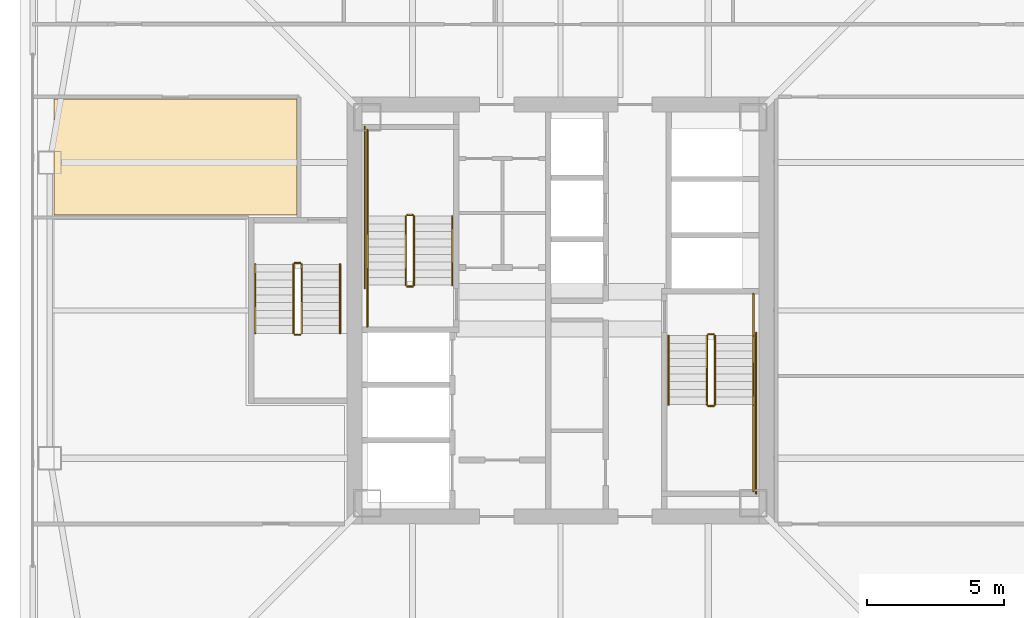
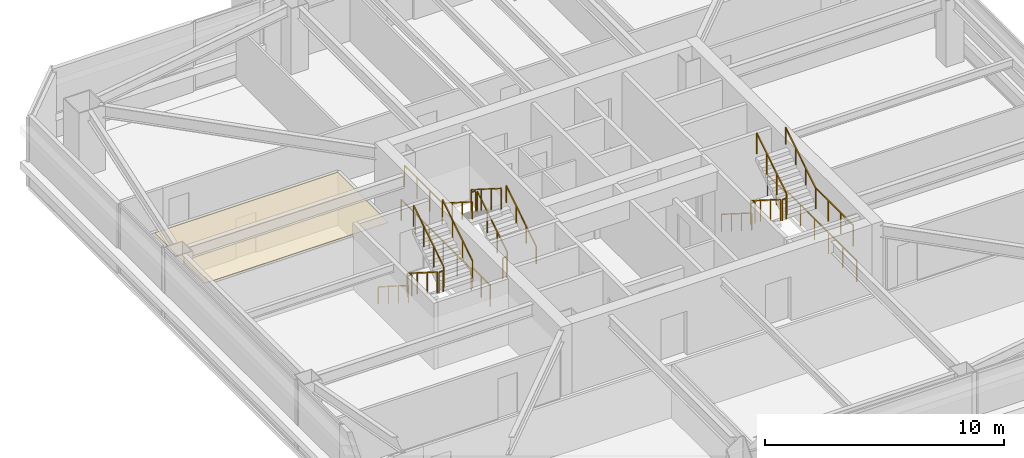
# One storey, part 36 of 41: 24 railings, 1 covering.
"""IFC4 building model written with IfcOpenShell, lengths in metres."""

import ifcopenshell
import ifcopenshell.guid

model = None  # the IFC model being written
_history = None  # IfcOwnerHistory: only IFC2X3 demands one
_inside = {}  # id of a spatial element -> (the spatial element, [elements in it])
_under = {}  # id of a project, library or spatial element -> (it, [spatial elements below it])
_declared = {}  # id of a project -> (the project, [libraries it declares])
_typed = {}  # id of a type object -> (the type object, [elements of that type])
_made_of = {}  # id of a material, layer set ... -> (it, [elements and type objects made of it])


def new_model(schema):
    """Start an empty IFC model of exactly this schema.

    Asked for "IFC4X3", IfcOpenShell would pick the latest addendum, in which some entities
    have other attributes; the version numbers below select the first issue.
    IFC2X3 requires an IfcOwnerHistory on every rooted entity: one is made here for all.
    """
    global model, _history
    if schema == "IFC4X3":
        model = ifcopenshell.file(schema_version=(4, 3, 0, 0))
    else:
        model = ifcopenshell.file(schema=schema)
    _inside.clear()
    _under.clear()
    _declared.clear()
    _typed.clear()
    _made_of.clear()
    _history = None
    if model.schema == "IFC2X3":
        org = make("IfcOrganization", Name="unknown")
        user = make(
            "IfcPersonAndOrganization",
            ThePerson=make("IfcPerson", FamilyName="unknown"),
            TheOrganization=org,
        )
        app = make(
            "IfcApplication",
            ApplicationDeveloper=org,
            Version="unknown",
            ApplicationFullName="unknown",
            ApplicationIdentifier="unknown",
        )
        _history = make(
            "IfcOwnerHistory",
            OwningUser=user,
            OwningApplication=app,
            ChangeAction="ADDED",
            CreationDate=0,
        )
    return model


def make(cls, **values):
    """One entity of the class cls with the attributes given. An attribute that is None is left unset."""
    return model.create_entity(
        cls, **{name: value for name, value in values.items() if value is not None}
    )


def rooted(cls, **values):
    """An entity with a GlobalId (a new one), such as an element, a storey or a relation."""
    return make(cls, GlobalId=ifcopenshell.guid.new(), OwnerHistory=_history, **values)


def si_unit(unit_type, name, prefix=None):
    """IfcSIUnit, for example si_unit("LENGTHUNIT", "METRE", prefix="MILLI")."""
    return make("IfcSIUnit", UnitType=unit_type, Prefix=prefix, Name=name)


def assignment(units):
    """IfcUnitAssignment: the units of a project."""
    return None if units is None else make("IfcUnitAssignment", Units=units)


def point(xyz):
    """IfcCartesianPoint."""
    return None if xyz is None else make("IfcCartesianPoint", Coordinates=xyz)


def direction(xyz):
    """IfcDirection."""
    return None if xyz is None else make("IfcDirection", DirectionRatios=xyz)


def frame(location, z_axis=None, x_axis=None):
    """IfcAxis2Placement3D, a coordinate frame: its origin and axes. An axis left out is left unset."""
    return make(
        "IfcAxis2Placement3D",
        Location=point(location),
        Axis=direction(z_axis),
        RefDirection=direction(x_axis),
    )


def frame_2d(location, x_axis=None):
    """IfcAxis2Placement2D, a coordinate frame in the plane: its origin and x axis."""
    return make(
        "IfcAxis2Placement2D", Location=point(location), RefDirection=direction(x_axis)
    )


def origin():
    """The frame at (0, 0, 0) with its axes left unset."""
    return frame((0.0, 0.0, 0.0))


def origin_2d():
    """The frame at (0, 0) in the plane with its x axis left unset."""
    return frame_2d((0.0, 0.0))


def place(relative_to, where):
    """IfcLocalPlacement: puts the frame where relative to a parent placement (None: the world)."""
    return make(
        "IfcLocalPlacement", PlacementRelTo=relative_to, RelativePlacement=where
    )


def context(
    kind, dimensions, precision=None, world=None, true_north=None, identifier=None
):
    """IfcGeometricRepresentationContext, for example the 3D "Model" context."""
    return make(
        "IfcGeometricRepresentationContext",
        ContextIdentifier=identifier,
        ContextType=kind,
        CoordinateSpaceDimension=dimensions,
        Precision=precision,
        WorldCoordinateSystem=world,
        TrueNorth=true_north,
    )


def subcontext(parent, identifier, kind, view, scale=None):
    """IfcGeometricRepresentationSubContext, for example "Body" below "Model"."""
    return make(
        "IfcGeometricRepresentationSubContext",
        ContextIdentifier=identifier,
        ContextType=kind,
        ParentContext=parent,
        TargetScale=scale,
        TargetView=view,
    )


def project(units=None, contexts=None):
    """IfcProject with its units and contexts."""
    return rooted(
        "IfcProject",
        Name="project",
        RepresentationContexts=contexts,
        UnitsInContext=assignment(units),
    )


def spatial(cls, under=None, at=None, **own):
    """A site, building, storey or space (cls), placed at a placement, below another one or the project."""
    s = rooted(cls, ObjectPlacement=at, **own)
    if under is not None:
        _under.setdefault(under.id(), (under, []))[1].append(s)
    return s


def polyline(points):
    """IfcPolyline through the points."""
    return make("IfcPolyline", Points=[point(p) for p in points])


def profile(cls, at=None, kind="AREA", **sizes):
    """A parametric profile (cls). Its sizes go by their IFC names, for example OverallWidth=200.0."""
    return make(cls, ProfileType=kind, Position=at, **sizes)


def rectangle(**sizes):
    """IfcRectangleProfileDef."""
    return profile("IfcRectangleProfileDef", **sizes)


def outline(outer, holes=None, kind="AREA"):
    """IfcArbitraryClosedProfileDef: a profile drawn as a closed curve; with holes, ...WithVoids."""
    if holes is None:
        return make("IfcArbitraryClosedProfileDef", ProfileType=kind, OuterCurve=outer)
    return make(
        "IfcArbitraryProfileDefWithVoids",
        ProfileType=kind,
        OuterCurve=outer,
        InnerCurves=holes,
    )


def extrude(swept, where, along, depth):
    """IfcExtrudedAreaSolid: the profile swept, set in the frame where, extruded along a direction by depth."""
    return make(
        "IfcExtrudedAreaSolid",
        SweptArea=swept,
        Position=where,
        ExtrudedDirection=direction(along),
        Depth=depth,
    )


def shape(context_of_items, identifier, shape_type, items):
    """IfcShapeRepresentation: the items that make up one representation, for example the "Body"."""
    return make(
        "IfcShapeRepresentation",
        ContextOfItems=context_of_items,
        RepresentationIdentifier=identifier,
        RepresentationType=shape_type,
        Items=items,
    )


def material(Name=None, Category=None):
    """IfcMaterial."""
    return make("IfcMaterial", Name=Name, Category=Category)


def layer(
    of_material, thickness, ventilated=None, Name=None, Category=None, Priority=None
):
    """IfcMaterialLayer: one layer of a wall or slab, of a material (None: an air gap)."""
    return make(
        "IfcMaterialLayer",
        Material=of_material,
        LayerThickness=thickness,
        IsVentilated=ventilated,
        Name=Name,
        Category=Category,
        Priority=Priority,
    )


def layer_set(layers, Name=None):
    """IfcMaterialLayerSet."""
    return make("IfcMaterialLayerSet", MaterialLayers=layers, LayerSetName=Name)


def made_of(thing, what):
    """Note that an element or type object is made of a material, layer set ...; save() writes the relation."""
    if what is not None:
        _made_of.setdefault(what.id(), (what, []))[1].append(thing)
    return thing


def type_object(cls, material=None, **own):
    """A type object (cls), such as IfcWallType, which elements share."""
    return made_of(rooted(cls, **own), material)


def element(
    cls,
    number,
    at=None,
    inside=None,
    cuts=None,
    type_object=None,
    material=None,
    context=None,
    identifier="Body",
    shape_type=None,
    held_by="IfcProductDefinitionShape",
    body=None,
    shapes=None,
    **own,
):
    """One element of the class cls, such as IfcWall. Its Tag is "e" and its number.

    at: its placement. inside: the storey or other place that contains it. cuts: it is an
    opening in that element (IfcRelVoidsElement). A single representation is given by context,
    identifier, shape_type and body (its items); several are given by shapes. held_by: the class
    of the entity that holds the representations. save() writes the other relations.
    """
    e = rooted(cls, Tag="e%d" % number, ObjectPlacement=at, **own)
    if body is not None:
        shapes = [shape(context, identifier, shape_type, body)]
    if shapes is not None:
        e.Representation = make(held_by, Representations=shapes)
    if inside is not None:
        _inside.setdefault(inside.id(), (inside, []))[1].append(e)
    if cuts is not None:
        rooted(
            "IfcRelVoidsElement", RelatingBuildingElement=cuts, RelatedOpeningElement=e
        )
    if type_object is not None:
        _typed.setdefault(type_object.id(), (type_object, []))[1].append(e)
    return made_of(e, material)


def aggregate(whole, parts):
    """IfcRelAggregates: a whole, such as a stair, and the parts it consists of."""
    return rooted("IfcRelAggregates", RelatingObject=whole, RelatedObjects=parts)


def save(model, path):
    """Write the relations noted so far, then the file.

    IfcRelAggregates (storeys below a building ...), IfcRelContainedInSpatialStructure (elements
    in a storey), IfcRelDefinesByType, IfcRelAssociatesMaterial and IfcRelDeclares: one each for
    every whole, place, type object, material and project.
    """
    for whole, parts in _under.values():
        aggregate(whole, parts)
    for where, things in _inside.values():
        rooted(
            "IfcRelContainedInSpatialStructure",
            RelatedElements=things,
            RelatingStructure=where,
        )
    for kind, things in _typed.values():
        rooted("IfcRelDefinesByType", RelatedObjects=things, RelatingType=kind)
    for what, things in _made_of.values():
        rooted("IfcRelAssociatesMaterial", RelatedObjects=things, RelatingMaterial=what)
    for by, libraries in _declared.values():
        rooted("IfcRelDeclares", RelatingContext=by, RelatedDefinitions=libraries)
    model.write(path)


model = new_model("IFC4")

# Units and contexts
model_context = context("Model", 3, precision=1e-05, world=origin(), true_north=direction((0.0, 1.0)))
body_context = subcontext(model_context, "Body", "Model", "MODEL_VIEW")
ifc_project = project(units=[si_unit("LENGTHUNIT", "METRE"), si_unit("AREAUNIT", "SQUARE_METRE"), si_unit("VOLUMEUNIT", "CUBIC_METRE"), si_unit("PLANEANGLEUNIT", "RADIAN"), si_unit("MASSUNIT", "GRAM", prefix="KILO")], contexts=[model_context])

# Site, building, storey
site_placement = place(None, origin())
site = spatial("IfcSite", under=ifc_project, at=site_placement, CompositionType="ELEMENT")
building_placement = place(site_placement, origin())
building = spatial("IfcBuilding", under=site, at=building_placement, Name="Tashvorn Skyway Center", CompositionType="ELEMENT")
storey_placement = place(building_placement, frame((0.0, 0.0, 146.35009765625)))
storey = spatial("IfcBuildingStorey", under=building, at=storey_placement, Name="L39", CompositionType="ELEMENT", Elevation=146.35009765625)

# Covering
ifc_material_1 = material(Name="Mineral-fibre acoustic ceiling tile on suspended grid")
ifc_layer = layer(ifc_material_1, 0.02001953125)
ifc_layer_set = layer_set([ifc_layer], Name="Mineral-fibre acoustic ceiling tile on suspended grid")
covering_type = type_object("IfcCoveringType", Name="COV-CEIL-20", PredefinedType="CEILING", material=ifc_layer_set)
covering_placement = place(storey_placement, frame((0.0, 0.0, 2.702880859375)))
element("IfcCovering", 1, at=covering_placement, inside=storey, type_object=covering_type, Name="Tower 1 L39 Collaborative Studio Acoustic Ceiling", PredefinedType="CEILING", context=body_context, shape_type="SweptSolid", body=[
    extrude(outline(polyline([(32.3701171875, 39.719970703125), (32.3701171875, 35.47998046875), (23.5, 35.47998046875), (23.5, 39.719970703125), (32.3701171875, 39.719970703125)])), origin(), (0.0, 0.0, 1.0), 0.02001953125),
])

# Railings
ifc_material_2 = material(Name="Brushed stainless steel 316", Category="steel")
railing_type_1 = type_object("IfcRailingType", Name="RAIL-HAND-920", PredefinedType="HANDRAIL", material=ifc_material_2)
railing_1_placement = place(storey_placement, frame((38.050048828125, 32.919921875, 0.177490234375)))
element("IfcRailing", 2, at=railing_1_placement, inside=storey, type_object=railing_type_1, Name="L39 ST-T1-1 stair handrail 1", PredefinedType="HANDRAIL", context=body_context, shape_type="SweptSolid", body=[
    extrude(rectangle(XDim=0.048095703125, YDim=0.048095703125, at=origin_2d()), frame((0.0, 0.0, 0.8759765625), z_axis=(0.0, 0.84460694969, 0.535386869969), x_axis=(-1.0, 0.0, 0.0)), (0.0, 0.0, 1.0), 2.983642578125),
    extrude(rectangle(XDim=0.0419921875, YDim=0.0419921875, at=origin_2d()), origin(), (0.0, 0.0, 1.0), 0.851806640625),
    extrude(rectangle(XDim=0.0419921875, YDim=0.0419921875, at=origin_2d()), frame((0.0, 0.840087890625, 0.532470703125)), (0.0, 0.0, 1.0), 0.851806640625),
    extrude(rectangle(XDim=0.0419921875, YDim=0.0419921875, at=origin_2d()), frame((0.0, 1.679931640625, 1.06494140625)), (0.0, 0.0, 1.0), 0.851806640625),
    extrude(rectangle(XDim=0.0419921875, YDim=0.0419921875, at=origin_2d()), frame((0.0, 2.52001953125, 1.597412109375)), (0.0, 0.0, 1.0), 0.851806640625),
])
for number, where, name in (
    (3, (34.949951171875, 35.43994140625, 1.952392578125), "L39 ST-T1-1 stair handrail 2"),
    (4, (45.949951171875, 31.080078125, 0.177490234375), "L39 ST-T1-2 stair handrail 1"),
):
    element("IfcRailing", number, at=place(storey_placement, frame(where)), inside=storey, type_object=railing_type_1, Name=name, PredefinedType="HANDRAIL", context=body_context, shape_type="SweptSolid", body=[
        extrude(rectangle(XDim=0.048095703125, YDim=0.048095703125, at=origin_2d()), frame((0.0, 0.0, 0.8759765625), z_axis=(0.0, -0.84460694969, 0.535386869969), x_axis=(1.0, 0.0, 0.0)), (0.0, 0.0, 1.0), 2.983642578125),
        extrude(rectangle(XDim=0.0419921875, YDim=0.0419921875, at=origin_2d()), origin(), (0.0, 0.0, 1.0), 0.851806640625),
        extrude(rectangle(XDim=0.0419921875, YDim=0.0419921875, at=origin_2d()), frame((0.0, -0.840087890625, 0.532470703125)), (0.0, 0.0, 1.0), 0.851806640625),
        extrude(rectangle(XDim=0.0419921875, YDim=0.0419921875, at=origin_2d()), frame((0.0, -1.679931640625, 1.06494140625)), (0.0, 0.0, 1.0), 0.851806640625),
        extrude(rectangle(XDim=0.0419921875, YDim=0.0419921875, at=origin_2d()), frame((0.0, -2.52001953125, 1.597412109375)), (0.0, 0.0, 1.0), 0.851806640625),
    ])
railing_2_placement = place(storey_placement, frame((49.050048828125, 28.56005859375, 1.952392578125)))
element("IfcRailing", 5, at=railing_2_placement, inside=storey, type_object=railing_type_1, Name="L39 ST-T1-2 stair handrail 2", PredefinedType="HANDRAIL", context=body_context, shape_type="SweptSolid", body=[
    extrude(rectangle(XDim=0.048095703125, YDim=0.048095703125, at=origin_2d()), frame((0.0, 0.0, 0.8759765625), z_axis=(0.0, 0.84460694969, 0.535386869969), x_axis=(-1.0, 0.0, 0.0)), (0.0, 0.0, 1.0), 2.983642578125),
    extrude(rectangle(XDim=0.0419921875, YDim=0.0419921875, at=origin_2d()), origin(), (0.0, 0.0, 1.0), 0.851806640625),
    extrude(rectangle(XDim=0.0419921875, YDim=0.0419921875, at=origin_2d()), frame((0.0, 0.840087890625, 0.532470703125)), (0.0, 0.0, 1.0), 0.851806640625),
    extrude(rectangle(XDim=0.0419921875, YDim=0.0419921875, at=origin_2d()), frame((0.0, 1.679931640625, 1.06494140625)), (0.0, 0.0, 1.0), 0.851806640625),
    extrude(rectangle(XDim=0.0419921875, YDim=0.0419921875, at=origin_2d()), frame((0.0, 2.52001953125, 1.597412109375)), (0.0, 0.0, 1.0), 0.851806640625),
])
railing_3_placement = place(storey_placement, frame((30.85009765625, 33.679931640625, 0.177490234375)))
element("IfcRailing", 6, at=railing_3_placement, inside=storey, type_object=railing_type_1, Name="L39 ST-T1-3 stair handrail 1", PredefinedType="HANDRAIL", context=body_context, shape_type="SweptSolid", body=[
    extrude(rectangle(XDim=0.048095703125, YDim=0.048095703125, at=origin_2d()), frame((0.0, 0.0, 0.8759765625), z_axis=(0.0, -0.84460694969, 0.535386869969), x_axis=(1.0, 0.0, 0.0)), (0.0, 0.0, 1.0), 2.983642578125),
    extrude(rectangle(XDim=0.0419921875, YDim=0.0419921875, at=origin_2d()), origin(), (0.0, 0.0, 1.0), 0.851806640625),
    extrude(rectangle(XDim=0.0419921875, YDim=0.0419921875, at=origin_2d()), frame((0.0, -0.840087890625, 0.532470703125)), (0.0, 0.0, 1.0), 0.851806640625),
    extrude(rectangle(XDim=0.0419921875, YDim=0.0419921875, at=origin_2d()), frame((0.0, -1.679931640625, 1.06494140625)), (0.0, 0.0, 1.0), 0.851806640625),
    extrude(rectangle(XDim=0.0419921875, YDim=0.0419921875, at=origin_2d()), frame((0.0, -2.52001953125, 1.597412109375)), (0.0, 0.0, 1.0), 0.851806640625),
])
railing_4_placement = place(storey_placement, frame((33.949951171875, 31.159912109375, 1.952392578125)))
element("IfcRailing", 7, at=railing_4_placement, inside=storey, type_object=railing_type_1, Name="L39 ST-T1-3 stair handrail 2", PredefinedType="HANDRAIL", context=body_context, shape_type="SweptSolid", body=[
    extrude(rectangle(XDim=0.048095703125, YDim=0.048095703125, at=origin_2d()), frame((0.0, 0.0, 0.8759765625), z_axis=(0.0, 0.84460694969, 0.535386869969), x_axis=(-1.0, 0.0, 0.0)), (0.0, 0.0, 1.0), 2.983642578125),
    extrude(rectangle(XDim=0.0419921875, YDim=0.0419921875, at=origin_2d()), origin(), (0.0, 0.0, 1.0), 0.851806640625),
    extrude(rectangle(XDim=0.0419921875, YDim=0.0419921875, at=origin_2d()), frame((0.0, 0.840087890625, 0.532470703125)), (0.0, 0.0, 1.0), 0.851806640625),
    extrude(rectangle(XDim=0.0419921875, YDim=0.0419921875, at=origin_2d()), frame((0.0, 1.679931640625, 1.06494140625)), (0.0, 0.0, 1.0), 0.851806640625),
    extrude(rectangle(XDim=0.0419921875, YDim=0.0419921875, at=origin_2d()), frame((0.0, 2.52001953125, 1.597412109375)), (0.0, 0.0, 1.0), 0.851806640625),
])
ifc_material_3 = material(Name="Painted galvanized steel S355", Category="steel")
railing_type_2 = type_object("IfcRailingType", Name="RAIL-STGUARD-1100", PredefinedType="GUARDRAIL", material=ifc_material_3)
railing_5_placement = place(storey_placement, frame((36.64990234375, 32.919921875, 0.177490234375)))
element("IfcRailing", 8, at=railing_5_placement, inside=storey, type_object=railing_type_2, Name="L39 ST-T1-1 stair guard 1", PredefinedType="GUARDRAIL", context=body_context, shape_type="SweptSolid", body=[
    extrude(rectangle(XDim=0.048095703125, YDim=0.048095703125, at=origin_2d()), frame((0.0, 0.0, 1.076171875), z_axis=(0.0, 0.84460694969, 0.535386869969), x_axis=(-1.0, 0.0, 0.0)), (0.0, 0.0, 1.0), 2.983642578125),
    extrude(rectangle(XDim=0.0419921875, YDim=0.0419921875, at=origin_2d()), origin(), (0.0, 0.0, 1.0), 1.052001953125),
    extrude(rectangle(XDim=0.0419921875, YDim=0.0419921875, at=origin_2d()), frame((0.0, 0.840087890625, 0.532470703125)), (0.0, 0.0, 1.0), 1.052001953125),
    extrude(rectangle(XDim=0.0419921875, YDim=0.0419921875, at=origin_2d()), frame((0.0, 1.679931640625, 1.06494140625)), (0.0, 0.0, 1.0), 1.052001953125),
    extrude(rectangle(XDim=0.0419921875, YDim=0.0419921875, at=origin_2d()), frame((0.0, 2.52001953125, 1.597412109375)), (0.0, 0.0, 1.0), 1.052001953125),
])
railing_6_placement = place(storey_placement, frame((36.60009765625, 35.489990234375, 1.77490234375)))
element("IfcRailing", 9, at=railing_6_placement, inside=storey, type_object=railing_type_2, Name="L39 ST-T1-1 stair guard 2", PredefinedType="GUARDRAIL", context=body_context, shape_type="SweptSolid", body=[
    extrude(rectangle(XDim=0.048095703125, YDim=0.048095703125, at=origin_2d()), frame((0.0, 0.0, 1.076171875), z_axis=(-1.0, 0.0, 0.0), x_axis=(0.0, -1.0, 0.0)), (0.0, 0.0, 1.0), 0.2001953125),
    extrude(rectangle(XDim=0.0419921875, YDim=0.0419921875, at=origin_2d()), origin(), (0.0, 0.0, 1.0), 1.052001953125),
    extrude(rectangle(XDim=0.0419921875, YDim=0.0419921875, at=origin_2d()), frame((-0.2001953125, 0.0, 0.0)), (0.0, 0.0, 1.0), 1.052001953125),
])
railing_7_placement = place(storey_placement, frame((34.949951171875, 35.43994140625, 1.77490234375)))
element("IfcRailing", 10, at=railing_7_placement, inside=storey, type_object=railing_type_2, Name="L39 ST-T1-1 stair guard 3", PredefinedType="GUARDRAIL", context=body_context, shape_type="SweptSolid", body=[
    extrude(rectangle(XDim=0.048095703125, YDim=0.048095703125, at=origin_2d()), frame((0.0, 0.0, 1.076171875), z_axis=(0.0, 1.0, 0.0), x_axis=(-1.0, 0.0, 0.0)), (0.0, 0.0, 1.0), 3.16015625),
    extrude(rectangle(XDim=0.0419921875, YDim=0.0419921875, at=origin_2d()), origin(), (0.0, 0.0, 1.0), 1.052001953125),
    extrude(rectangle(XDim=0.0419921875, YDim=0.0419921875, at=origin_2d()), frame((0.0, 1.053466796875, 0.0)), (0.0, 0.0, 1.0), 1.052001953125),
    extrude(rectangle(XDim=0.0419921875, YDim=0.0419921875, at=origin_2d()), frame((0.0, 2.106689453125, 0.0)), (0.0, 0.0, 1.0), 1.052001953125),
    extrude(rectangle(XDim=0.0419921875, YDim=0.0419921875, at=origin_2d()), frame((0.0, 3.16015625, 0.0)), (0.0, 0.0, 1.0), 1.052001953125),
])
railing_8_placement = place(storey_placement, frame((36.35009765625, 35.43994140625, 1.952392578125)))
element("IfcRailing", 11, at=railing_8_placement, inside=storey, type_object=railing_type_2, Name="L39 ST-T1-1 stair guard 4", PredefinedType="GUARDRAIL", context=body_context, shape_type="SweptSolid", body=[
    extrude(rectangle(XDim=0.048095703125, YDim=0.048095703125, at=origin_2d()), frame((0.0, 0.0, 1.076171875), z_axis=(0.0, -0.84460694969, 0.535386869969), x_axis=(1.0, 0.0, 0.0)), (0.0, 0.0, 1.0), 2.983642578125),
    extrude(rectangle(XDim=0.0419921875, YDim=0.0419921875, at=origin_2d()), origin(), (0.0, 0.0, 1.0), 1.052001953125),
    extrude(rectangle(XDim=0.0419921875, YDim=0.0419921875, at=origin_2d()), frame((0.0, -0.840087890625, 0.532470703125)), (0.0, 0.0, 1.0), 1.052001953125),
    extrude(rectangle(XDim=0.0419921875, YDim=0.0419921875, at=origin_2d()), frame((0.0, -1.679931640625, 1.06494140625)), (0.0, 0.0, 1.0), 1.052001953125),
    extrude(rectangle(XDim=0.0419921875, YDim=0.0419921875, at=origin_2d()), frame((0.0, -2.52001953125, 1.597412109375)), (0.0, 0.0, 1.0), 1.052001953125),
])
railing_9_placement = place(storey_placement, frame((36.60009765625, 32.8701171875, 0.0)))
element("IfcRailing", 12, at=railing_9_placement, inside=storey, type_object=railing_type_2, Name="L39 ST-T1-1 stair guard 5", PredefinedType="GUARDRAIL", context=body_context, shape_type="SweptSolid", body=[
    extrude(rectangle(XDim=0.048095703125, YDim=0.048095703125, at=origin_2d()), frame((0.0, 0.0, 1.076171875), z_axis=(-1.0, 0.0, 0.0), x_axis=(0.0, -1.0, 0.0)), (0.0, 0.0, 1.0), 0.2001953125),
    extrude(rectangle(XDim=0.0419921875, YDim=0.0419921875, at=origin_2d()), origin(), (0.0, 0.0, 1.0), 1.052001953125),
    extrude(rectangle(XDim=0.0419921875, YDim=0.0419921875, at=origin_2d()), frame((-0.2001953125, 0.0, 0.0)), (0.0, 0.0, 1.0), 1.052001953125),
])
railing_10_placement = place(storey_placement, frame((34.949951171875, 31.39990234375, 0.0)))
element("IfcRailing", 13, at=railing_10_placement, inside=storey, type_object=railing_type_2, Name="L39 ST-T1-1 stair guard 6", PredefinedType="GUARDRAIL", context=body_context, shape_type="SweptSolid", body=[
    extrude(rectangle(XDim=0.048095703125, YDim=0.048095703125, at=origin_2d()), frame((0.0, 0.0, 1.076171875), z_axis=(0.0, 1.0, 0.0), x_axis=(-1.0, 0.0, 0.0)), (0.0, 0.0, 1.0), 1.52001953125),
    extrude(rectangle(XDim=0.0419921875, YDim=0.0419921875, at=origin_2d()), origin(), (0.0, 0.0, 1.0), 1.052001953125),
    extrude(rectangle(XDim=0.0419921875, YDim=0.0419921875, at=origin_2d()), frame((0.0, 0.760009765625, 0.0)), (0.0, 0.0, 1.0), 1.052001953125),
    extrude(rectangle(XDim=0.0419921875, YDim=0.0419921875, at=origin_2d()), frame((0.0, 1.52001953125, 0.0)), (0.0, 0.0, 1.0), 1.052001953125),
])
railing_11_placement = place(storey_placement, frame((34.85009765625, 32.820068359375, 0.0)))
element("IfcRailing", 14, at=railing_11_placement, inside=storey, type_object=railing_type_2, Name="L39 ST-T1-1 stair guard 7", PredefinedType="GUARDRAIL", context=body_context, shape_type="SweptSolid", body=[
    extrude(rectangle(XDim=0.048095703125, YDim=0.048095703125, at=origin_2d()), frame((0.0, 0.0, 1.076171875), z_axis=(0.0, 1.0, 0.0), x_axis=(-1.0, 0.0, 0.0)), (0.0, 0.0, 1.0), 5.8798828125),
    extrude(rectangle(XDim=0.0419921875, YDim=0.0419921875, at=origin_2d()), origin(), (0.0, 0.0, 1.0), 1.052001953125),
    extrude(rectangle(XDim=0.0419921875, YDim=0.0419921875, at=origin_2d()), frame((0.0, 1.176025390625, 0.0)), (0.0, 0.0, 1.0), 1.052001953125),
    extrude(rectangle(XDim=0.0419921875, YDim=0.0419921875, at=origin_2d()), frame((0.0, 2.35205078125, 0.0)), (0.0, 0.0, 1.0), 1.052001953125),
    extrude(rectangle(XDim=0.0419921875, YDim=0.0419921875, at=origin_2d()), frame((0.0, 3.52783203125, 0.0)), (0.0, 0.0, 1.0), 1.052001953125),
    extrude(rectangle(XDim=0.0419921875, YDim=0.0419921875, at=origin_2d()), frame((0.0, 4.703857421875, 0.0)), (0.0, 0.0, 1.0), 1.052001953125),
    extrude(rectangle(XDim=0.0419921875, YDim=0.0419921875, at=origin_2d()), frame((0.0, 5.8798828125, 0.0)), (0.0, 0.0, 1.0), 1.052001953125),
])
railing_12_placement = place(storey_placement, frame((47.35009765625, 31.080078125, 0.177490234375)))
element("IfcRailing", 15, at=railing_12_placement, inside=storey, type_object=railing_type_2, Name="L39 ST-T1-2 stair guard 1", PredefinedType="GUARDRAIL", context=body_context, shape_type="SweptSolid", body=[
    extrude(rectangle(XDim=0.048095703125, YDim=0.048095703125, at=origin_2d()), frame((0.0, 0.0, 1.076171875), z_axis=(0.0, -0.84460694969, 0.535386869969), x_axis=(1.0, 0.0, 0.0)), (0.0, 0.0, 1.0), 2.983642578125),
    extrude(rectangle(XDim=0.0419921875, YDim=0.0419921875, at=origin_2d()), origin(), (0.0, 0.0, 1.0), 1.052001953125),
    extrude(rectangle(XDim=0.0419921875, YDim=0.0419921875, at=origin_2d()), frame((0.0, -0.840087890625, 0.532470703125)), (0.0, 0.0, 1.0), 1.052001953125),
    extrude(rectangle(XDim=0.0419921875, YDim=0.0419921875, at=origin_2d()), frame((0.0, -1.679931640625, 1.06494140625)), (0.0, 0.0, 1.0), 1.052001953125),
    extrude(rectangle(XDim=0.0419921875, YDim=0.0419921875, at=origin_2d()), frame((0.0, -2.52001953125, 1.597412109375)), (0.0, 0.0, 1.0), 1.052001953125),
])
railing_13_placement = place(storey_placement, frame((47.39990234375, 28.510009765625, 1.77490234375)))
element("IfcRailing", 16, at=railing_13_placement, inside=storey, type_object=railing_type_2, Name="L39 ST-T1-2 stair guard 2", PredefinedType="GUARDRAIL", context=body_context, shape_type="SweptSolid", body=[
    extrude(rectangle(XDim=0.048095703125, YDim=0.048095703125, at=origin_2d()), frame((0.0, 0.0, 1.076171875), z_axis=(1.0, 0.0, 0.0), x_axis=(0.0, 1.0, 0.0)), (0.0, 0.0, 1.0), 0.2001953125),
    extrude(rectangle(XDim=0.0419921875, YDim=0.0419921875, at=origin_2d()), origin(), (0.0, 0.0, 1.0), 1.052001953125),
    extrude(rectangle(XDim=0.0419921875, YDim=0.0419921875, at=origin_2d()), frame((0.2001953125, 0.0, 0.0)), (0.0, 0.0, 1.0), 1.052001953125),
])
railing_14_placement = place(storey_placement, frame((49.050048828125, 28.56005859375, 1.77490234375)))
element("IfcRailing", 17, at=railing_14_placement, inside=storey, type_object=railing_type_2, Name="L39 ST-T1-2 stair guard 3", PredefinedType="GUARDRAIL", context=body_context, shape_type="SweptSolid", body=[
    extrude(rectangle(XDim=0.048095703125, YDim=0.048095703125, at=origin_2d()), frame((0.0, 0.0, 1.076171875), z_axis=(0.0, -1.0, 0.0), x_axis=(1.0, 0.0, 0.0)), (0.0, 0.0, 1.0), 3.16015625),
    extrude(rectangle(XDim=0.0419921875, YDim=0.0419921875, at=origin_2d()), origin(), (0.0, 0.0, 1.0), 1.052001953125),
    extrude(rectangle(XDim=0.0419921875, YDim=0.0419921875, at=origin_2d()), frame((0.0, -1.053466796875, 0.0)), (0.0, 0.0, 1.0), 1.052001953125),
    extrude(rectangle(XDim=0.0419921875, YDim=0.0419921875, at=origin_2d()), frame((0.0, -2.106689453125, 0.0)), (0.0, 0.0, 1.0), 1.052001953125),
    extrude(rectangle(XDim=0.0419921875, YDim=0.0419921875, at=origin_2d()), frame((0.0, -3.16015625, 0.0)), (0.0, 0.0, 1.0), 1.052001953125),
])
railing_15_placement = place(storey_placement, frame((47.64990234375, 28.56005859375, 1.952392578125)))
element("IfcRailing", 18, at=railing_15_placement, inside=storey, type_object=railing_type_2, Name="L39 ST-T1-2 stair guard 4", PredefinedType="GUARDRAIL", context=body_context, shape_type="SweptSolid", body=[
    extrude(rectangle(XDim=0.048095703125, YDim=0.048095703125, at=origin_2d()), frame((0.0, 0.0, 1.076171875), z_axis=(0.0, 0.84460694969, 0.535386869969), x_axis=(-1.0, 0.0, 0.0)), (0.0, 0.0, 1.0), 2.983642578125),
    extrude(rectangle(XDim=0.0419921875, YDim=0.0419921875, at=origin_2d()), origin(), (0.0, 0.0, 1.0), 1.052001953125),
    extrude(rectangle(XDim=0.0419921875, YDim=0.0419921875, at=origin_2d()), frame((0.0, 0.840087890625, 0.532470703125)), (0.0, 0.0, 1.0), 1.052001953125),
    extrude(rectangle(XDim=0.0419921875, YDim=0.0419921875, at=origin_2d()), frame((0.0, 1.679931640625, 1.06494140625)), (0.0, 0.0, 1.0), 1.052001953125),
    extrude(rectangle(XDim=0.0419921875, YDim=0.0419921875, at=origin_2d()), frame((0.0, 2.52001953125, 1.597412109375)), (0.0, 0.0, 1.0), 1.052001953125),
])
railing_16_placement = place(storey_placement, frame((47.39990234375, 31.1298828125, 0.0)))
element("IfcRailing", 19, at=railing_16_placement, inside=storey, type_object=railing_type_2, Name="L39 ST-T1-2 stair guard 5", PredefinedType="GUARDRAIL", context=body_context, shape_type="SweptSolid", body=[
    extrude(rectangle(XDim=0.048095703125, YDim=0.048095703125, at=origin_2d()), frame((0.0, 0.0, 1.076171875), z_axis=(1.0, 0.0, 0.0), x_axis=(0.0, 1.0, 0.0)), (0.0, 0.0, 1.0), 0.2001953125),
    extrude(rectangle(XDim=0.0419921875, YDim=0.0419921875, at=origin_2d()), origin(), (0.0, 0.0, 1.0), 1.052001953125),
    extrude(rectangle(XDim=0.0419921875, YDim=0.0419921875, at=origin_2d()), frame((0.2001953125, 0.0, 0.0)), (0.0, 0.0, 1.0), 1.052001953125),
])
railing_17_placement = place(storey_placement, frame((49.050048828125, 32.60009765625, 0.0)))
element("IfcRailing", 20, at=railing_17_placement, inside=storey, type_object=railing_type_2, Name="L39 ST-T1-2 stair guard 6", PredefinedType="GUARDRAIL", context=body_context, shape_type="SweptSolid", body=[
    extrude(rectangle(XDim=0.048095703125, YDim=0.048095703125, at=origin_2d()), frame((0.0, 0.0, 1.076171875), z_axis=(0.0, -1.0, 0.0), x_axis=(1.0, 0.0, 0.0)), (0.0, 0.0, 1.0), 1.52001953125),
    extrude(rectangle(XDim=0.0419921875, YDim=0.0419921875, at=origin_2d()), origin(), (0.0, 0.0, 1.0), 1.052001953125),
    extrude(rectangle(XDim=0.0419921875, YDim=0.0419921875, at=origin_2d()), frame((0.0, -0.760009765625, 0.0)), (0.0, 0.0, 1.0), 1.052001953125),
    extrude(rectangle(XDim=0.0419921875, YDim=0.0419921875, at=origin_2d()), frame((0.0, -1.52001953125, 0.0)), (0.0, 0.0, 1.0), 1.052001953125),
])
railing_18_placement = place(storey_placement, frame((49.14990234375, 31.179931640625, 0.0)))
element("IfcRailing", 21, at=railing_18_placement, inside=storey, type_object=railing_type_2, Name="L39 ST-T1-2 stair guard 7", PredefinedType="GUARDRAIL", context=body_context, shape_type="SweptSolid", body=[
    extrude(rectangle(XDim=0.048095703125, YDim=0.048095703125, at=origin_2d()), frame((0.0, 0.0, 1.076171875), z_axis=(0.0, -1.0, 0.0), x_axis=(1.0, 0.0, 0.0)), (0.0, 0.0, 1.0), 5.8798828125),
    extrude(rectangle(XDim=0.0419921875, YDim=0.0419921875, at=origin_2d()), origin(), (0.0, 0.0, 1.0), 1.052001953125),
    extrude(rectangle(XDim=0.0419921875, YDim=0.0419921875, at=origin_2d()), frame((0.0, -1.176025390625, 0.0)), (0.0, 0.0, 1.0), 1.052001953125),
    extrude(rectangle(XDim=0.0419921875, YDim=0.0419921875, at=origin_2d()), frame((0.0, -2.35205078125, 0.0)), (0.0, 0.0, 1.0), 1.052001953125),
    extrude(rectangle(XDim=0.0419921875, YDim=0.0419921875, at=origin_2d()), frame((0.0, -3.52783203125, 0.0)), (0.0, 0.0, 1.0), 1.052001953125),
    extrude(rectangle(XDim=0.0419921875, YDim=0.0419921875, at=origin_2d()), frame((0.0, -4.703857421875, 0.0)), (0.0, 0.0, 1.0), 1.052001953125),
    extrude(rectangle(XDim=0.0419921875, YDim=0.0419921875, at=origin_2d()), frame((0.0, -5.8798828125, 0.0)), (0.0, 0.0, 1.0), 1.052001953125),
])
railing_19_placement = place(storey_placement, frame((32.25, 33.679931640625, 0.177490234375)))
element("IfcRailing", 22, at=railing_19_placement, inside=storey, type_object=railing_type_2, Name="L39 ST-T1-3 stair guard 1", PredefinedType="GUARDRAIL", context=body_context, shape_type="SweptSolid", body=[
    extrude(rectangle(XDim=0.048095703125, YDim=0.048095703125, at=origin_2d()), frame((0.0, 0.0, 1.076171875), z_axis=(0.0, -0.84460694969, 0.535386869969), x_axis=(1.0, 0.0, 0.0)), (0.0, 0.0, 1.0), 2.983642578125),
    extrude(rectangle(XDim=0.0419921875, YDim=0.0419921875, at=origin_2d()), origin(), (0.0, 0.0, 1.0), 1.052001953125),
    extrude(rectangle(XDim=0.0419921875, YDim=0.0419921875, at=origin_2d()), frame((0.0, -0.840087890625, 0.532470703125)), (0.0, 0.0, 1.0), 1.052001953125),
    extrude(rectangle(XDim=0.0419921875, YDim=0.0419921875, at=origin_2d()), frame((0.0, -1.679931640625, 1.06494140625)), (0.0, 0.0, 1.0), 1.052001953125),
    extrude(rectangle(XDim=0.0419921875, YDim=0.0419921875, at=origin_2d()), frame((0.0, -2.52001953125, 1.597412109375)), (0.0, 0.0, 1.0), 1.052001953125),
])
railing_20_placement = place(storey_placement, frame((32.300048828125, 31.110107421875, 1.77490234375)))
element("IfcRailing", 23, at=railing_20_placement, inside=storey, type_object=railing_type_2, Name="L39 ST-T1-3 stair guard 2", PredefinedType="GUARDRAIL", context=body_context, shape_type="SweptSolid", body=[
    extrude(rectangle(XDim=0.048095703125, YDim=0.048095703125, at=origin_2d()), frame((0.0, 0.0, 1.076171875), z_axis=(1.0, 0.0, 0.0), x_axis=(0.0, 1.0, 0.0)), (0.0, 0.0, 1.0), 0.199951171875),
    extrude(rectangle(XDim=0.0419921875, YDim=0.0419921875, at=origin_2d()), origin(), (0.0, 0.0, 1.0), 1.052001953125),
    extrude(rectangle(XDim=0.0419921875, YDim=0.0419921875, at=origin_2d()), frame((0.199951171875, 0.0, 0.0)), (0.0, 0.0, 1.0), 1.052001953125),
])
railing_21_placement = place(storey_placement, frame((32.550048828125, 31.159912109375, 1.952392578125)))
element("IfcRailing", 24, at=railing_21_placement, inside=storey, type_object=railing_type_2, Name="L39 ST-T1-3 stair guard 3", PredefinedType="GUARDRAIL", context=body_context, shape_type="SweptSolid", body=[
    extrude(rectangle(XDim=0.048095703125, YDim=0.048095703125, at=origin_2d()), frame((0.0, 0.0, 1.076171875), z_axis=(0.0, 0.84460694969, 0.535386869969), x_axis=(-1.0, 0.0, 0.0)), (0.0, 0.0, 1.0), 2.983642578125),
    extrude(rectangle(XDim=0.0419921875, YDim=0.0419921875, at=origin_2d()), origin(), (0.0, 0.0, 1.0), 1.052001953125),
    extrude(rectangle(XDim=0.0419921875, YDim=0.0419921875, at=origin_2d()), frame((0.0, 0.840087890625, 0.532470703125)), (0.0, 0.0, 1.0), 1.052001953125),
    extrude(rectangle(XDim=0.0419921875, YDim=0.0419921875, at=origin_2d()), frame((0.0, 1.679931640625, 1.06494140625)), (0.0, 0.0, 1.0), 1.052001953125),
    extrude(rectangle(XDim=0.0419921875, YDim=0.0419921875, at=origin_2d()), frame((0.0, 2.52001953125, 1.597412109375)), (0.0, 0.0, 1.0), 1.052001953125),
])
railing_22_placement = place(storey_placement, frame((32.300048828125, 33.72998046875, 0.0)))
element("IfcRailing", 25, at=railing_22_placement, inside=storey, type_object=railing_type_2, Name="L39 ST-T1-3 stair guard 4", PredefinedType="GUARDRAIL", context=body_context, shape_type="SweptSolid", body=[
    extrude(rectangle(XDim=0.048095703125, YDim=0.048095703125, at=origin_2d()), frame((0.0, 0.0, 1.076171875), z_axis=(1.0, 0.0, 0.0), x_axis=(0.0, 1.0, 0.0)), (0.0, 0.0, 1.0), 0.199951171875),
    extrude(rectangle(XDim=0.0419921875, YDim=0.0419921875, at=origin_2d()), origin(), (0.0, 0.0, 1.0), 1.052001953125),
    extrude(rectangle(XDim=0.0419921875, YDim=0.0419921875, at=origin_2d()), frame((0.199951171875, 0.0, 0.0)), (0.0, 0.0, 1.0), 1.052001953125),
])

save(model, "model.ifc")
